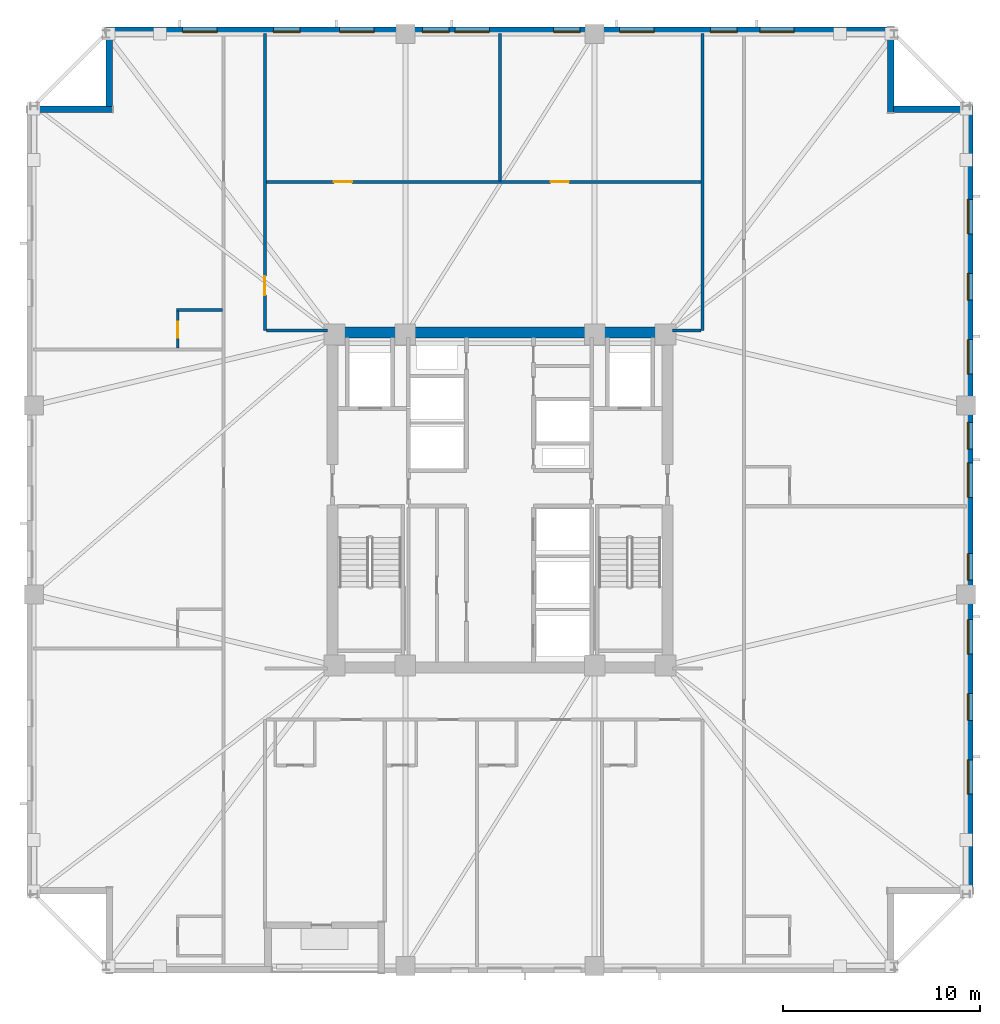
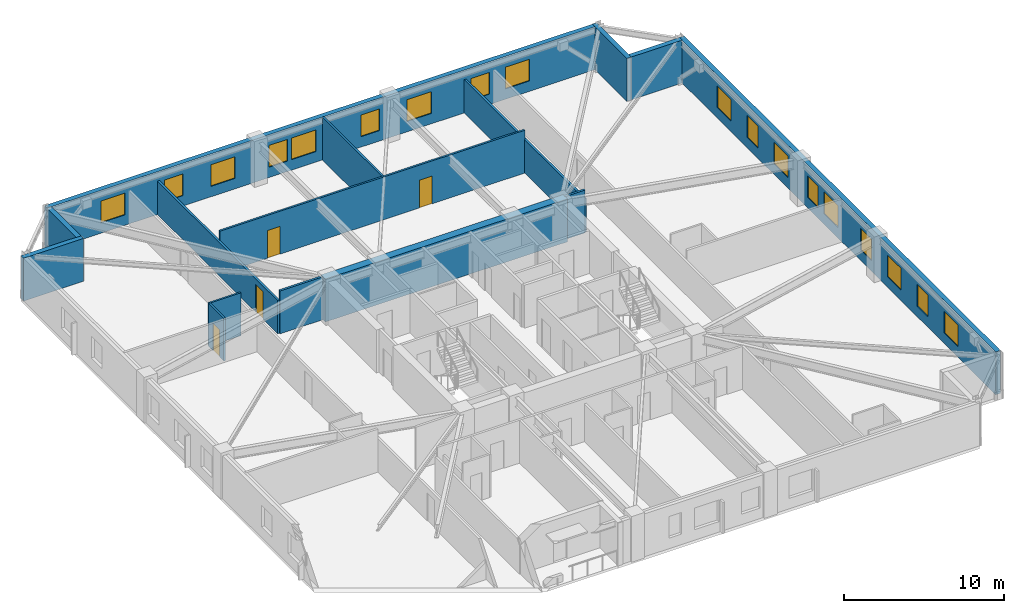
# One storey, part 5 of 10: 18 windows, 15 walls, 4 doors, 22 openings.
"""IFC4 building model written with IfcOpenShell, lengths in metres."""

from ifc_helpers import new_model, si_unit, direction, frame, frame_2d, origin, place, context, subcontext, project, spatial, rectangle, extrude, material, layer, layer_set, type_object, element, fill, save


model = new_model("IFC4")

# Units and contexts
model_context = context("Model", 3, precision=1e-05, world=origin(), true_north=direction((0.0, 1.0)))
body_context = subcontext(model_context, "Body", "Model", "MODEL_VIEW")
ifc_project = project(units=[si_unit("LENGTHUNIT", "METRE"), si_unit("AREAUNIT", "SQUARE_METRE"), si_unit("VOLUMEUNIT", "CUBIC_METRE"), si_unit("PLANEANGLEUNIT", "RADIAN"), si_unit("MASSUNIT", "GRAM", prefix="KILO")], contexts=[model_context])

# Site, building, storey
site_placement = place(None, origin())
site = spatial("IfcSite", under=ifc_project, at=site_placement, CompositionType="ELEMENT")
building_placement = place(site_placement, origin())
building = spatial("IfcBuilding", under=site, at=building_placement, Name="Cairnveth Concourse Tower", CompositionType="ELEMENT")
storey_placement = place(building_placement, frame((0.0, 0.0, 144.5)))
storey = spatial("IfcBuildingStorey", under=building, at=storey_placement, Name="L39", CompositionType="ELEMENT", Elevation=144.5)

# Wall, opening, door
ifc_material_1 = material(Name="Gypsum Plasterboard Partition", Category="gypsum")
ifc_layer_1 = layer(ifc_material_1, 0.159912109375)
ifc_layer_set_1 = layer_set([ifc_layer_1], Name="Gypsum Plasterboard Partition")
wall_type_1 = type_object("IfcWallType", Name="ACOUSTIC PARTY WALL 180", PredefinedType="PARTITIONING", material=ifc_layer_set_1)
wall_1_placement = place(storey_placement, frame((40.074951171875, 47.60009765625, 0.0), z_axis=(0.0, 0.0, 1.0), x_axis=(0.0, 1.0, 0.0)))
wall_1 = element("IfcWall", 1, at=wall_1_placement, inside=storey, type_object=wall_type_1, Name="Interior Wall IW-L39-039", PredefinedType="PARTITIONING", context=body_context, shape_type="SweptSolid", body=[
    extrude(rectangle(XDim=15.074951171875, YDim=0.159912109375, at=frame_2d((7.53759765625, 0.0))), origin(), (0.0, 0.0, 1.0), 2.554931640625),
])
opening_1_placement = place(wall_1_placement, frame((1.800048828125, 0.0, 0.0)))
opening_1 = element("IfcOpeningElement", 2, at=opening_1_placement, cuts=wall_1, Name="Opening ID11", PredefinedType="OPENING", context=body_context, shape_type="SweptSolid", body=[
    extrude(rectangle(XDim=0.9599609375, YDim=2.1201171875, at=frame_2d((0.47998046875, 1.06005859375))), frame((0.0, 0.08984375, 0.0), z_axis=(0.0, -1.0, 0.0), x_axis=(1.0, 0.0, 0.0)), (0.0, 0.0, 1.0), 0.179931640625),
])
ifc_material_2 = material(Name="Solid Core Hardwood Timber Leaf", Category="wood")
door_type_1 = type_object("IfcDoorType", Name="INTERIOR SINGLE DOOR 960X2150", OperationType="NOTDEFINED", PredefinedType="DOOR", material=ifc_material_2)
door_1_placement = place(opening_1_placement, origin())
door_1 = element("IfcDoor", 3, at=door_1_placement, inside=storey, type_object=door_type_1, Name="Interior Door DR-L39-016", OperationType="SINGLE_SWING_RIGHT", OverallHeight=2.1201171875, OverallWidth=0.9599609375, PredefinedType="DOOR", context=body_context, shape_type="SweptSolid", body=[
    extrude(rectangle(XDim=0.9599609375, YDim=2.1201171875, at=frame_2d((0.47998046875, 1.06005859375))), frame((0.0, 0.02490234375, 0.0), z_axis=(0.0, -1.0, 0.0), x_axis=(1.0, 0.0, 0.0)), (0.0, 0.0, 1.0), 0.050048828125),
])
fill(opening_1, door_1)

# Walls
wall_2_placement = place(storey_placement, frame((40.139892578125, 47.60009765625, 0.0), z_axis=(0.0, 0.0, 1.0), x_axis=(1.0, 0.0, 0.0)))
element("IfcWall", 4, at=wall_2_placement, inside=storey, type_object=wall_type_1, Name="Interior Wall IW-L39-041", PredefinedType="PARTITIONING", context=body_context, shape_type="SweptSolid", body=[
    extrude(rectangle(XDim=3.09521484375, YDim=0.159912109375, at=frame_2d((1.547607421875, 0.0))), origin(), (0.0, 0.0, 1.0), 3.280029296875),
])
wall_3_placement = place(storey_placement, frame((62.27490234375, 47.60009765625, 0.0), z_axis=(0.0, 0.0, 1.0), x_axis=(0.0, 1.0, 0.0)))
element("IfcWall", 5, at=wall_3_placement, inside=storey, type_object=wall_type_1, Name="Interior Wall IW-L39-044", PredefinedType="PARTITIONING", context=body_context, shape_type="SweptSolid", body=[
    extrude(rectangle(XDim=15.074951171875, YDim=0.159912109375, at=frame_2d((7.53759765625, 0.0))), origin(), (0.0, 0.0, 1.0), 2.554931640625),
])
wall_4_placement = place(storey_placement, frame((60.764892578125, 47.60009765625, 0.0), z_axis=(0.0, 0.0, 1.0), x_axis=(1.0, 0.0, 0.0)))
element("IfcWall", 6, at=wall_4_placement, inside=storey, type_object=wall_type_1, Name="Interior Wall IW-L39-046", PredefinedType="PARTITIONING", context=body_context, shape_type="SweptSolid", body=[
    extrude(rectangle(XDim=1.445068359375, YDim=0.159912109375, at=frame_2d((0.72265625, 0.0))), origin(), (0.0, 0.0, 1.0), 3.280029296875),
])
ifc_material_3 = material(Name="Concrete N80 (80 MPa)", Category="concrete")
ifc_layer_2 = layer(ifc_material_3, 0.550048828125)
ifc_layer_set_2 = layer_set([ifc_layer_2], Name="Concrete N80 (80 MPa)")
wall_type_2 = type_object("IfcWallType", Name="CORE SHEAR WALL 550", PredefinedType="SHEAR", material=ifc_layer_set_2)
wall_5_placement = place(storey_placement, frame((43.22509765625, 47.5, 0.0), z_axis=(0.0, 0.0, 1.0), x_axis=(1.0, 0.0, 0.0)))
element("IfcWall", 7, at=wall_5_placement, inside=storey, type_object=wall_type_2, Name="Core North Shear Wall L39", PredefinedType="SHEAR", context=body_context, shape_type="SweptSolid", body=[
    extrude(rectangle(XDim=17.5498046875, YDim=0.550048828125, at=frame_2d((8.77490234375, 0.0))), origin(), (0.0, 0.0, 1.0), 3.280029296875),
])

# Wall, openings, doors
ifc_layer_3 = layer(ifc_material_1, 0.139892578125)
ifc_layer_set_3 = layer_set([ifc_layer_3], Name="Gypsum Plasterboard Partition")
wall_type_3 = type_object("IfcWallType", Name="GYPSUM STUD PARTITION 140", PredefinedType="PARTITIONING", material=ifc_layer_set_3)
wall_6_placement = place(storey_placement, frame((40.139892578125, 55.139892578125, 0.0), z_axis=(0.0, 0.0, 1.0), x_axis=(1.0, 0.0, 0.0)))
wall_6 = element("IfcWall", 8, at=wall_6_placement, inside=storey, type_object=wall_type_3, Name="Interior Wall IW-L39-048", PredefinedType="PARTITIONING", context=body_context, shape_type="SweptSolid", body=[
    extrude(rectangle(XDim=22.070068359375, YDim=0.139892578125, at=frame_2d((11.03515625, 0.0))), origin(), (0.0, 0.0, 1.0), 3.280029296875),
])
opening_2_placement = place(wall_6_placement, frame((3.43505859375, 0.0, 0.0)))
opening_2 = element("IfcOpeningElement", 9, at=opening_2_placement, cuts=wall_6, Name="Opening ID15", PredefinedType="OPENING", context=body_context, shape_type="SweptSolid", body=[
    extrude(rectangle(XDim=0.919921875, YDim=2.1201171875, at=frame_2d((0.4599609375, 1.06005859375))), frame((0.0, 0.079833984375, 0.0), z_axis=(0.0, -1.0, 0.0), x_axis=(1.0, 0.0, 0.0)), (0.0, 0.0, 1.0), 0.159912109375),
])
opening_3_placement = place(wall_6_placement, frame((14.43505859375, 0.0, 0.0)))
opening_3 = element("IfcOpeningElement", 10, at=opening_3_placement, cuts=wall_6, Name="Opening ID15", PredefinedType="OPENING", context=body_context, shape_type="SweptSolid", body=[
    extrude(rectangle(XDim=0.919921875, YDim=2.1201171875, at=frame_2d((0.4599609375, 1.06005859375))), frame((0.0, 0.079833984375, 0.0), z_axis=(0.0, -1.0, 0.0), x_axis=(1.0, 0.0, 0.0)), (0.0, 0.0, 1.0), 0.159912109375),
])
door_type_2 = type_object("IfcDoorType", Name="INTERIOR SINGLE DOOR 920X2100", OperationType="NOTDEFINED", PredefinedType="DOOR", material=ifc_material_2)
door_2_placement = place(opening_2_placement, origin())
door_2 = element("IfcDoor", 11, at=door_2_placement, inside=storey, type_object=door_type_2, Name="Interior Door DR-L39-017", OperationType="SINGLE_SWING_LEFT", OverallHeight=2.1201171875, OverallWidth=0.919921875, PredefinedType="DOOR", context=body_context, shape_type="SweptSolid", body=[
    extrude(rectangle(XDim=0.919921875, YDim=2.1201171875, at=frame_2d((0.4599609375, 1.06005859375))), frame((0.0, 0.02490234375, 0.0), z_axis=(0.0, -1.0, 0.0), x_axis=(1.0, 0.0, 0.0)), (0.0, 0.0, 1.0), 0.050048828125),
])
fill(opening_2, door_2)
door_3_placement = place(opening_3_placement, origin())
door_3 = element("IfcDoor", 12, at=door_3_placement, inside=storey, type_object=door_type_2, Name="Interior Door DR-L39-018", OperationType="SINGLE_SWING_RIGHT", OverallHeight=2.1201171875, OverallWidth=0.919921875, PredefinedType="DOOR", context=body_context, shape_type="SweptSolid", body=[
    extrude(rectangle(XDim=0.919921875, YDim=2.1201171875, at=frame_2d((0.4599609375, 1.06005859375))), frame((0.0, 0.02490234375, 0.0), z_axis=(0.0, -1.0, 0.0), x_axis=(1.0, 0.0, 0.0)), (0.0, 0.0, 1.0), 0.050048828125),
])
fill(opening_3, door_3)

# Walls
wall_7_placement = place(storey_placement, frame((52.0, 55.195068359375, 0.0), z_axis=(0.0, 0.0, 1.0), x_axis=(0.0, 1.0, 0.0)))
element("IfcWall", 13, at=wall_7_placement, inside=storey, type_object=wall_type_3, Name="Interior Wall IW-L39-049", PredefinedType="PARTITIONING", context=body_context, shape_type="SweptSolid", body=[
    extrude(rectangle(XDim=7.47998046875, YDim=0.139892578125, at=frame_2d((3.739990234375, 0.0))), origin(), (0.0, 0.0, 1.0), 3.280029296875),
])
ifc_layer_4 = layer(ifc_material_1, 0.1298828125)
ifc_layer_set_4 = layer_set([ifc_layer_4], Name="Gypsum Plasterboard Partition")
wall_type_4 = type_object("IfcWallType", Name="WET AREA PARTITION 140", PredefinedType="PLUMBINGWALL", material=ifc_layer_set_4)
wall_8_placement = place(storey_placement, frame((35.594970703125, 48.640625, 0.0), z_axis=(0.0, 0.0, 1.0), x_axis=(1.0, 0.0, 0.0)))
element("IfcWall", 14, at=wall_8_placement, inside=storey, type_object=wall_type_4, Name="Interior Wall IW-L39-069", PredefinedType="PLUMBINGWALL", context=body_context, shape_type="SweptSolid", body=[
    extrude(rectangle(XDim=2.31494140625, YDim=0.1298828125, at=frame_2d((1.157470703125, 0.0))), origin(), (0.0, 0.0, 1.0), 3.280029296875),
])

# Wall, opening, door
wall_9_placement = place(storey_placement, frame((35.64501953125, 46.70556640625, 0.0), z_axis=(0.0, 0.0, 1.0), x_axis=(0.0, 1.0, 0.0)))
wall_9 = element("IfcWall", 15, at=wall_9_placement, inside=storey, type_object=wall_type_4, Name="Interior Wall IW-L39-070", PredefinedType="PLUMBINGWALL", context=body_context, shape_type="SweptSolid", body=[
    extrude(rectangle(XDim=1.885009765625, YDim=0.1298828125, at=frame_2d((0.9423828125, 0.0))), origin(), (0.0, 0.0, 1.0), 3.280029296875),
])
opening_4_placement = place(wall_9_placement, frame((0.52490234375, 0.0, 0.0)))
opening_4 = element("IfcOpeningElement", 16, at=opening_4_placement, cuts=wall_9, Name="Opening ID22", PredefinedType="OPENING", context=body_context, shape_type="SweptSolid", body=[
    extrude(rectangle(XDim=0.820068359375, YDim=2.10009765625, at=frame_2d((0.41015625, 1.050048828125))), frame((0.0, 0.074951171875, 0.0), z_axis=(0.0, -1.0, 0.0), x_axis=(1.0, 0.0, 0.0)), (0.0, 0.0, 1.0), 0.14990234375),
])
door_type_3 = type_object("IfcDoorType", Name="INTERIOR WC DOOR 820X2100", OperationType="NOTDEFINED", PredefinedType="DOOR", material=ifc_material_2)
door_4_placement = place(opening_4_placement, origin())
door_4 = element("IfcDoor", 17, at=door_4_placement, inside=storey, type_object=door_type_3, Name="En-Suite Door L39-W3", OperationType="SINGLE_SWING_LEFT", OverallHeight=2.10009765625, OverallWidth=0.820068359375, PredefinedType="DOOR", context=body_context, shape_type="SweptSolid", body=[
    extrude(rectangle(XDim=0.820068359375, YDim=2.10009765625, at=frame_2d((0.41015625, 1.050048828125))), frame((0.0, 0.02490234375, 0.0), z_axis=(0.0, -1.0, 0.0), x_axis=(1.0, 0.0, 0.0)), (0.0, 0.0, 1.0), 0.050048828125),
])
fill(opening_4, door_4)

# Walls
ifc_material_4 = material(Name="Hawthorn Red-Ochre Fired Clay Brick Masonry", Category="masonry")
ifc_layer_5 = layer(ifc_material_4, 0.340087890625)
ifc_layer_set_5 = layer_set([ifc_layer_5], Name="Hawthorn Red-Ochre Fired Clay Brick Masonry")
wall_type_5 = type_object("IfcWallType", Name="ZONE 2 BRICK PIER SPANDREL WALL 340", PredefinedType="SOLIDWALL", material=ifc_layer_set_5)
wall_10_placement = place(storey_placement, frame((28.0, 58.830078125, 0.0), z_axis=(0.0, 0.0, 1.0), x_axis=(1.0, 0.0, 0.0)))
element("IfcWall", 18, at=wall_10_placement, inside=storey, type_object=wall_type_5, Name="Exterior Wall EW-L39-S04", PredefinedType="SOLIDWALL", context=body_context, shape_type="SweptSolid", body=[
    extrude(rectangle(XDim=4.340087890625, YDim=0.340087890625, at=frame_2d((2.169921875, 0.0))), origin(), (0.0, 0.0, 1.0), 3.280029296875),
])
wall_11_placement = place(storey_placement, frame((32.169921875, 58.97802734375, 0.0), z_axis=(0.0, 0.0, 1.0), x_axis=(0.0, 1.0, 0.0)))
element("IfcWall", 19, at=wall_11_placement, inside=storey, type_object=wall_type_5, Name="Exterior Wall EW-L39-S05", PredefinedType="SOLIDWALL", context=body_context, shape_type="SweptSolid", body=[
    extrude(rectangle(XDim=3.703857421875, YDim=0.340087890625, at=frame_2d((1.85205078125, 0.0))), origin(), (0.0, 0.0, 1.0), 3.280029296875),
])

# Wall, openings, windows
wall_12_placement = place(storey_placement, frame((32.0, 62.830078125, 0.0), z_axis=(0.0, 0.0, 1.0), x_axis=(1.0, 0.0, 0.0)))
wall_12 = element("IfcWall", 20, at=wall_12_placement, inside=storey, type_object=wall_type_5, Name="Exterior Wall EW-L39-S06", PredefinedType="SOLIDWALL", context=body_context, shape_type="SweptSolid", body=[
    extrude(rectangle(XDim=39.681884765625, YDim=0.340087890625, at=frame_2d((19.8408203125, 0.0))), origin(), (0.0, 0.0, 1.0), 3.280029296875),
])
opening_5_placement = place(wall_12_placement, frame((3.90185546875, 0.0, 0.800048828125)))
opening_5 = element("IfcOpeningElement", 21, at=opening_5_placement, cuts=wall_12, Name="Opening W06", PredefinedType="OPENING", context=body_context, shape_type="SweptSolid", body=[
    extrude(rectangle(XDim=1.75, YDim=1.659912109375, at=frame_2d((0.875, 0.830078125))), frame((0.0, 0.179931640625, 0.0), z_axis=(0.0, -1.0, 0.0), x_axis=(1.0, 0.0, 0.0)), (0.0, 0.0, 1.0), 0.360107421875),
])
opening_6_placement = place(wall_12_placement, frame((8.50537109375, 0.0, 0.800048828125)))
opening_6 = element("IfcOpeningElement", 22, at=opening_6_placement, cuts=wall_12, Name="Opening W02", PredefinedType="OPENING", context=body_context, shape_type="SweptSolid", body=[
    extrude(rectangle(XDim=1.35009765625, YDim=1.659912109375, at=frame_2d((0.675048828125, 0.830078125))), frame((0.0, 0.179931640625, 0.0), z_axis=(0.0, -1.0, 0.0), x_axis=(1.0, 0.0, 0.0)), (0.0, 0.0, 1.0), 0.360107421875),
])
opening_7_placement = place(wall_12_placement, frame((11.85888671875, 0.0, 0.800048828125)))
opening_7 = element("IfcOpeningElement", 23, at=opening_7_placement, cuts=wall_12, Name="Opening W06", PredefinedType="OPENING", context=body_context, shape_type="SweptSolid", body=[
    extrude(rectangle(XDim=1.75, YDim=1.659912109375, at=frame_2d((0.875, 0.830078125))), frame((0.0, 0.179931640625, 0.0), z_axis=(0.0, -1.0, 0.0), x_axis=(1.0, 0.0, 0.0)), (0.0, 0.0, 1.0), 0.360107421875),
])
opening_8_placement = place(wall_12_placement, frame((16.0625, 0.0, 0.800048828125)))
opening_8 = element("IfcOpeningElement", 24, at=opening_8_placement, cuts=wall_12, Name="Opening W02", PredefinedType="OPENING", context=body_context, shape_type="SweptSolid", body=[
    extrude(rectangle(XDim=1.35009765625, YDim=1.659912109375, at=frame_2d((0.675048828125, 0.830078125))), frame((0.0, 0.179931640625, 0.0), z_axis=(0.0, -1.0, 0.0), x_axis=(1.0, 0.0, 0.0)), (0.0, 0.0, 1.0), 0.360107421875),
])
opening_9_placement = place(wall_12_placement, frame((17.716064453125, 0.0, 0.800048828125)))
opening_9 = element("IfcOpeningElement", 25, at=opening_9_placement, cuts=wall_12, Name="Opening W06", PredefinedType="OPENING", context=body_context, shape_type="SweptSolid", body=[
    extrude(rectangle(XDim=1.75, YDim=1.659912109375, at=frame_2d((0.875, 0.830078125))), frame((0.0, 0.179931640625, 0.0), z_axis=(0.0, -1.0, 0.0), x_axis=(1.0, 0.0, 0.0)), (0.0, 0.0, 1.0), 0.360107421875),
])
opening_10_placement = place(wall_12_placement, frame((22.719482421875, 0.0, 0.800048828125)))
opening_10 = element("IfcOpeningElement", 26, at=opening_10_placement, cuts=wall_12, Name="Opening W02", PredefinedType="OPENING", context=body_context, shape_type="SweptSolid", body=[
    extrude(rectangle(XDim=1.35009765625, YDim=1.659912109375, at=frame_2d((0.675048828125, 0.830078125))), frame((0.0, 0.179931640625, 0.0), z_axis=(0.0, -1.0, 0.0), x_axis=(1.0, 0.0, 0.0)), (0.0, 0.0, 1.0), 0.360107421875),
])
opening_11_placement = place(wall_12_placement, frame((26.072998046875, 0.0, 0.800048828125)))
opening_11 = element("IfcOpeningElement", 27, at=opening_11_placement, cuts=wall_12, Name="Opening W06", PredefinedType="OPENING", context=body_context, shape_type="SweptSolid", body=[
    extrude(rectangle(XDim=1.75, YDim=1.659912109375, at=frame_2d((0.875, 0.830078125))), frame((0.0, 0.179931640625, 0.0), z_axis=(0.0, -1.0, 0.0), x_axis=(1.0, 0.0, 0.0)), (0.0, 0.0, 1.0), 0.360107421875),
])
opening_12_placement = place(wall_12_placement, frame((30.6767578125, 0.0, 0.800048828125)))
opening_12 = element("IfcOpeningElement", 28, at=opening_12_placement, cuts=wall_12, Name="Opening W02", PredefinedType="OPENING", context=body_context, shape_type="SweptSolid", body=[
    extrude(rectangle(XDim=1.35009765625, YDim=1.659912109375, at=frame_2d((0.675048828125, 0.830078125))), frame((0.0, 0.179931640625, 0.0), z_axis=(0.0, -1.0, 0.0), x_axis=(1.0, 0.0, 0.0)), (0.0, 0.0, 1.0), 0.360107421875),
])
opening_13_placement = place(wall_12_placement, frame((33.18017578125, 0.0, 0.800048828125)))
opening_13 = element("IfcOpeningElement", 29, at=opening_13_placement, cuts=wall_12, Name="Opening W06", PredefinedType="OPENING", context=body_context, shape_type="SweptSolid", body=[
    extrude(rectangle(XDim=1.75, YDim=1.659912109375, at=frame_2d((0.875, 0.830078125))), frame((0.0, 0.179931640625, 0.0), z_axis=(0.0, -1.0, 0.0), x_axis=(1.0, 0.0, 0.0)), (0.0, 0.0, 1.0), 0.360107421875),
])
ifc_material_5 = material(Name="Double Glazed Low-E Clear Glass", Category="glass")
window_type_1 = type_object("IfcWindowType", Name="DEEP-SET GOTHIC LANCET WINDOW 1350X1800", PartitioningType="DOUBLE_PANEL_VERTICAL", PredefinedType="WINDOW", material=ifc_material_5)
window_1_placement = place(opening_6_placement, origin())
window_1 = element("IfcWindow", 30, at=window_1_placement, inside=storey, type_object=window_type_1, Name="Gothic Lancet Window L39-6-2", OverallHeight=1.659912109375, OverallWidth=1.35009765625, PartitioningType="SINGLE_PANEL", PredefinedType="WINDOW", context=body_context, shape_type="SweptSolid", body=[
    extrude(rectangle(XDim=1.35009765625, YDim=1.659912109375, at=frame_2d((0.675048828125, 0.830078125))), frame((0.0, -0.050048828125, 0.0), z_axis=(0.0, -1.0, 0.0), x_axis=(1.0, 0.0, 0.0)), (0.0, 0.0, 1.0), 0.06005859375),
])
fill(opening_6, window_1)
window_2_placement = place(opening_8_placement, origin())
window_2 = element("IfcWindow", 31, at=window_2_placement, inside=storey, type_object=window_type_1, Name="Gothic Lancet Window L39-6-4", OverallHeight=1.659912109375, OverallWidth=1.35009765625, PartitioningType="SINGLE_PANEL", PredefinedType="WINDOW", context=body_context, shape_type="SweptSolid", body=[
    extrude(rectangle(XDim=1.35009765625, YDim=1.659912109375, at=frame_2d((0.675048828125, 0.830078125))), frame((0.0, -0.050048828125, 0.0), z_axis=(0.0, -1.0, 0.0), x_axis=(1.0, 0.0, 0.0)), (0.0, 0.0, 1.0), 0.06005859375),
])
fill(opening_8, window_2)
window_3_placement = place(opening_10_placement, origin())
window_3 = element("IfcWindow", 32, at=window_3_placement, inside=storey, type_object=window_type_1, Name="Gothic Lancet Window L39-6-6", OverallHeight=1.659912109375, OverallWidth=1.35009765625, PartitioningType="SINGLE_PANEL", PredefinedType="WINDOW", context=body_context, shape_type="SweptSolid", body=[
    extrude(rectangle(XDim=1.35009765625, YDim=1.659912109375, at=frame_2d((0.675048828125, 0.830078125))), frame((0.0, -0.050048828125, 0.0), z_axis=(0.0, -1.0, 0.0), x_axis=(1.0, 0.0, 0.0)), (0.0, 0.0, 1.0), 0.06005859375),
])
fill(opening_10, window_3)
window_4_placement = place(opening_12_placement, origin())
window_4 = element("IfcWindow", 33, at=window_4_placement, inside=storey, type_object=window_type_1, Name="Gothic Lancet Window L39-6-8", OverallHeight=1.659912109375, OverallWidth=1.35009765625, PartitioningType="SINGLE_PANEL", PredefinedType="WINDOW", context=body_context, shape_type="SweptSolid", body=[
    extrude(rectangle(XDim=1.35009765625, YDim=1.659912109375, at=frame_2d((0.675048828125, 0.830078125))), frame((0.0, -0.050048828125, 0.0), z_axis=(0.0, -1.0, 0.0), x_axis=(1.0, 0.0, 0.0)), (0.0, 0.0, 1.0), 0.06005859375),
])
fill(opening_12, window_4)
window_type_2 = type_object("IfcWindowType", Name="DEEP-SET HOTEL SUITE WINDOW 1750X1800", PartitioningType="DOUBLE_PANEL_VERTICAL", PredefinedType="WINDOW", material=ifc_material_5)
window_5_placement = place(opening_5_placement, origin())
window_5 = element("IfcWindow", 34, at=window_5_placement, inside=storey, type_object=window_type_2, Name="Gothic Lancet Window L39-6-1", OverallHeight=1.659912109375, OverallWidth=1.75, PartitioningType="SINGLE_PANEL", PredefinedType="WINDOW", context=body_context, shape_type="SweptSolid", body=[
    extrude(rectangle(XDim=1.75, YDim=1.659912109375, at=frame_2d((0.875, 0.830078125))), frame((0.0, -0.050048828125, 0.0), z_axis=(0.0, -1.0, 0.0), x_axis=(1.0, 0.0, 0.0)), (0.0, 0.0, 1.0), 0.06005859375),
])
fill(opening_5, window_5)
window_6_placement = place(opening_7_placement, origin())
window_6 = element("IfcWindow", 35, at=window_6_placement, inside=storey, type_object=window_type_2, Name="Gothic Lancet Window L39-6-3", OverallHeight=1.659912109375, OverallWidth=1.75, PartitioningType="SINGLE_PANEL", PredefinedType="WINDOW", context=body_context, shape_type="SweptSolid", body=[
    extrude(rectangle(XDim=1.75, YDim=1.659912109375, at=frame_2d((0.875, 0.830078125))), frame((0.0, -0.050048828125, 0.0), z_axis=(0.0, -1.0, 0.0), x_axis=(1.0, 0.0, 0.0)), (0.0, 0.0, 1.0), 0.06005859375),
])
fill(opening_7, window_6)
window_7_placement = place(opening_9_placement, origin())
window_7 = element("IfcWindow", 36, at=window_7_placement, inside=storey, type_object=window_type_2, Name="Gothic Lancet Window L39-6-5", OverallHeight=1.659912109375, OverallWidth=1.75, PartitioningType="SINGLE_PANEL", PredefinedType="WINDOW", context=body_context, shape_type="SweptSolid", body=[
    extrude(rectangle(XDim=1.75, YDim=1.659912109375, at=frame_2d((0.875, 0.830078125))), frame((0.0, -0.050048828125, 0.0), z_axis=(0.0, -1.0, 0.0), x_axis=(1.0, 0.0, 0.0)), (0.0, 0.0, 1.0), 0.06005859375),
])
fill(opening_9, window_7)
window_8_placement = place(opening_11_placement, origin())
window_8 = element("IfcWindow", 37, at=window_8_placement, inside=storey, type_object=window_type_2, Name="Gothic Lancet Window L39-6-7", OverallHeight=1.659912109375, OverallWidth=1.75, PartitioningType="SINGLE_PANEL", PredefinedType="WINDOW", context=body_context, shape_type="SweptSolid", body=[
    extrude(rectangle(XDim=1.75, YDim=1.659912109375, at=frame_2d((0.875, 0.830078125))), frame((0.0, -0.050048828125, 0.0), z_axis=(0.0, -1.0, 0.0), x_axis=(1.0, 0.0, 0.0)), (0.0, 0.0, 1.0), 0.06005859375),
])
fill(opening_11, window_8)
window_9_placement = place(opening_13_placement, origin())
window_9 = element("IfcWindow", 38, at=window_9_placement, inside=storey, type_object=window_type_2, Name="Gothic Lancet Window L39-6-9", OverallHeight=1.659912109375, OverallWidth=1.75, PartitioningType="SINGLE_PANEL", PredefinedType="WINDOW", context=body_context, shape_type="SweptSolid", body=[
    extrude(rectangle(XDim=1.75, YDim=1.659912109375, at=frame_2d((0.875, 0.830078125))), frame((0.0, -0.050048828125, 0.0), z_axis=(0.0, -1.0, 0.0), x_axis=(1.0, 0.0, 0.0)), (0.0, 0.0, 1.0), 0.06005859375),
])
fill(opening_13, window_9)

# Walls
wall_13_placement = place(storey_placement, frame((71.830078125, 63.0, 0.0), z_axis=(0.0, 0.0, 1.0), x_axis=(0.0, -1.0, 0.0)))
element("IfcWall", 39, at=wall_13_placement, inside=storey, type_object=wall_type_5, Name="Exterior Wall EW-L39-S07", PredefinedType="SOLIDWALL", context=body_context, shape_type="SweptSolid", body=[
    extrude(rectangle(XDim=4.340087890625, YDim=0.340087890625, at=frame_2d((2.169921875, 0.0))), origin(), (0.0, 0.0, 1.0), 3.280029296875),
])
wall_14_placement = place(storey_placement, frame((71.97802734375, 58.830078125, 0.0), z_axis=(0.0, 0.0, 1.0), x_axis=(1.0, 0.0, 0.0)))
element("IfcWall", 40, at=wall_14_placement, inside=storey, type_object=wall_type_5, Name="Exterior Wall EW-L39-S08", PredefinedType="SOLIDWALL", context=body_context, shape_type="SweptSolid", body=[
    extrude(rectangle(XDim=3.703857421875, YDim=0.340087890625, at=frame_2d((1.85205078125, 0.0))), origin(), (0.0, 0.0, 1.0), 3.280029296875),
])

# Wall, openings, windows
wall_15_placement = place(storey_placement, frame((75.830078125, 59.0, 0.0), z_axis=(0.0, 0.0, 1.0), x_axis=(0.0, -1.0, 0.0)))
wall_15 = element("IfcWall", 41, at=wall_15_placement, inside=storey, type_object=wall_type_5, Name="Exterior Wall EW-L39-S09", PredefinedType="SOLIDWALL", context=body_context, shape_type="SweptSolid", body=[
    extrude(rectangle(XDim=39.681884765625, YDim=0.340087890625, at=frame_2d((19.8408203125, 0.0))), origin(), (0.0, 0.0, 1.0), 3.280029296875),
])
opening_14_placement = place(wall_15_placement, frame((4.751708984375, 0.0, 0.800048828125)))
opening_14 = element("IfcOpeningElement", 42, at=opening_14_placement, cuts=wall_15, Name="Opening W06", PredefinedType="OPENING", context=body_context, shape_type="SweptSolid", body=[
    extrude(rectangle(XDim=1.75, YDim=1.659912109375, at=frame_2d((0.875, 0.830078125))), frame((0.0, 0.179931640625, 0.0), z_axis=(0.0, -1.0, 0.0), x_axis=(1.0, 0.0, 0.0)), (0.0, 0.0, 1.0), 0.360107421875),
])
opening_15_placement = place(wall_15_placement, frame((8.50537109375, 0.0, 0.800048828125)))
opening_15 = element("IfcOpeningElement", 43, at=opening_15_placement, cuts=wall_15, Name="Opening W02", PredefinedType="OPENING", context=body_context, shape_type="SweptSolid", body=[
    extrude(rectangle(XDim=1.35009765625, YDim=1.659912109375, at=frame_2d((0.675048828125, 0.830078125))), frame((0.0, 0.179931640625, 0.0), z_axis=(0.0, -1.0, 0.0), x_axis=(1.0, 0.0, 0.0)), (0.0, 0.0, 1.0), 0.360107421875),
])
opening_16_placement = place(wall_15_placement, frame((11.85888671875, 0.0, 0.800048828125)))
opening_16 = element("IfcOpeningElement", 44, at=opening_16_placement, cuts=wall_15, Name="Opening W06", PredefinedType="OPENING", context=body_context, shape_type="SweptSolid", body=[
    extrude(rectangle(XDim=1.75, YDim=1.659912109375, at=frame_2d((0.875, 0.830078125))), frame((0.0, 0.179931640625, 0.0), z_axis=(0.0, -1.0, 0.0), x_axis=(1.0, 0.0, 0.0)), (0.0, 0.0, 1.0), 0.360107421875),
])
opening_17_placement = place(wall_15_placement, frame((16.0625, 0.0, 0.800048828125)))
opening_17 = element("IfcOpeningElement", 45, at=opening_17_placement, cuts=wall_15, Name="Opening W02", PredefinedType="OPENING", context=body_context, shape_type="SweptSolid", body=[
    extrude(rectangle(XDim=1.35009765625, YDim=1.659912109375, at=frame_2d((0.675048828125, 0.830078125))), frame((0.0, 0.179931640625, 0.0), z_axis=(0.0, -1.0, 0.0), x_axis=(1.0, 0.0, 0.0)), (0.0, 0.0, 1.0), 0.360107421875),
])
opening_18_placement = place(wall_15_placement, frame((18.115966796875, 0.0, 0.800048828125)))
opening_18 = element("IfcOpeningElement", 46, at=opening_18_placement, cuts=wall_15, Name="Opening W06", PredefinedType="OPENING", context=body_context, shape_type="SweptSolid", body=[
    extrude(rectangle(XDim=1.75, YDim=1.659912109375, at=frame_2d((0.875, 0.830078125))), frame((0.0, 0.179931640625, 0.0), z_axis=(0.0, -1.0, 0.0), x_axis=(1.0, 0.0, 0.0)), (0.0, 0.0, 1.0), 0.360107421875),
])
opening_19_placement = place(wall_15_placement, frame((22.719482421875, 0.0, 0.800048828125)))
opening_19 = element("IfcOpeningElement", 47, at=opening_19_placement, cuts=wall_15, Name="Opening W02", PredefinedType="OPENING", context=body_context, shape_type="SweptSolid", body=[
    extrude(rectangle(XDim=1.35009765625, YDim=1.659912109375, at=frame_2d((0.675048828125, 0.830078125))), frame((0.0, 0.179931640625, 0.0), z_axis=(0.0, -1.0, 0.0), x_axis=(1.0, 0.0, 0.0)), (0.0, 0.0, 1.0), 0.360107421875),
])
opening_20_placement = place(wall_15_placement, frame((26.072998046875, 0.0, 0.800048828125)))
opening_20 = element("IfcOpeningElement", 48, at=opening_20_placement, cuts=wall_15, Name="Opening W06", PredefinedType="OPENING", context=body_context, shape_type="SweptSolid", body=[
    extrude(rectangle(XDim=1.75, YDim=1.659912109375, at=frame_2d((0.875, 0.830078125))), frame((0.0, 0.179931640625, 0.0), z_axis=(0.0, -1.0, 0.0), x_axis=(1.0, 0.0, 0.0)), (0.0, 0.0, 1.0), 0.360107421875),
])
opening_21_placement = place(wall_15_placement, frame((29.82666015625, 0.0, 0.800048828125)))
opening_21 = element("IfcOpeningElement", 49, at=opening_21_placement, cuts=wall_15, Name="Opening W02", PredefinedType="OPENING", context=body_context, shape_type="SweptSolid", body=[
    extrude(rectangle(XDim=1.35009765625, YDim=1.659912109375, at=frame_2d((0.675048828125, 0.830078125))), frame((0.0, 0.179931640625, 0.0), z_axis=(0.0, -1.0, 0.0), x_axis=(1.0, 0.0, 0.0)), (0.0, 0.0, 1.0), 0.360107421875),
])
opening_22_placement = place(wall_15_placement, frame((33.18017578125, 0.0, 0.800048828125)))
opening_22 = element("IfcOpeningElement", 50, at=opening_22_placement, cuts=wall_15, Name="Opening W06", PredefinedType="OPENING", context=body_context, shape_type="SweptSolid", body=[
    extrude(rectangle(XDim=1.75, YDim=1.659912109375, at=frame_2d((0.875, 0.830078125))), frame((0.0, 0.179931640625, 0.0), z_axis=(0.0, -1.0, 0.0), x_axis=(1.0, 0.0, 0.0)), (0.0, 0.0, 1.0), 0.360107421875),
])
window_10_placement = place(opening_15_placement, origin())
window_10 = element("IfcWindow", 51, at=window_10_placement, inside=storey, type_object=window_type_1, Name="Gothic Lancet Window L39-9-2", OverallHeight=1.659912109375, OverallWidth=1.35009765625, PartitioningType="SINGLE_PANEL", PredefinedType="WINDOW", context=body_context, shape_type="SweptSolid", body=[
    extrude(rectangle(XDim=1.35009765625, YDim=1.659912109375, at=frame_2d((0.675048828125, 0.830078125))), frame((0.0, -0.050048828125, 0.0), z_axis=(0.0, -1.0, 0.0), x_axis=(1.0, 0.0, 0.0)), (0.0, 0.0, 1.0), 0.06005859375),
])
fill(opening_15, window_10)
window_11_placement = place(opening_17_placement, origin())
window_11 = element("IfcWindow", 52, at=window_11_placement, inside=storey, type_object=window_type_1, Name="Gothic Lancet Window L39-9-4", OverallHeight=1.659912109375, OverallWidth=1.35009765625, PartitioningType="SINGLE_PANEL", PredefinedType="WINDOW", context=body_context, shape_type="SweptSolid", body=[
    extrude(rectangle(XDim=1.35009765625, YDim=1.659912109375, at=frame_2d((0.675048828125, 0.830078125))), frame((0.0, -0.050048828125, 0.0), z_axis=(0.0, -1.0, 0.0), x_axis=(1.0, 0.0, 0.0)), (0.0, 0.0, 1.0), 0.06005859375),
])
fill(opening_17, window_11)
window_12_placement = place(opening_19_placement, origin())
window_12 = element("IfcWindow", 53, at=window_12_placement, inside=storey, type_object=window_type_1, Name="Gothic Lancet Window L39-9-6", OverallHeight=1.659912109375, OverallWidth=1.35009765625, PartitioningType="SINGLE_PANEL", PredefinedType="WINDOW", context=body_context, shape_type="SweptSolid", body=[
    extrude(rectangle(XDim=1.35009765625, YDim=1.659912109375, at=frame_2d((0.675048828125, 0.830078125))), frame((0.0, -0.050048828125, 0.0), z_axis=(0.0, -1.0, 0.0), x_axis=(1.0, 0.0, 0.0)), (0.0, 0.0, 1.0), 0.06005859375),
])
fill(opening_19, window_12)
window_13_placement = place(opening_21_placement, origin())
window_13 = element("IfcWindow", 54, at=window_13_placement, inside=storey, type_object=window_type_1, Name="Gothic Lancet Window L39-9-8", OverallHeight=1.659912109375, OverallWidth=1.35009765625, PartitioningType="SINGLE_PANEL", PredefinedType="WINDOW", context=body_context, shape_type="SweptSolid", body=[
    extrude(rectangle(XDim=1.35009765625, YDim=1.659912109375, at=frame_2d((0.675048828125, 0.830078125))), frame((0.0, -0.050048828125, 0.0), z_axis=(0.0, -1.0, 0.0), x_axis=(1.0, 0.0, 0.0)), (0.0, 0.0, 1.0), 0.06005859375),
])
fill(opening_21, window_13)
window_14_placement = place(opening_14_placement, origin())
window_14 = element("IfcWindow", 55, at=window_14_placement, inside=storey, type_object=window_type_2, Name="Gothic Lancet Window L39-9-1", OverallHeight=1.659912109375, OverallWidth=1.75, PartitioningType="SINGLE_PANEL", PredefinedType="WINDOW", context=body_context, shape_type="SweptSolid", body=[
    extrude(rectangle(XDim=1.75, YDim=1.659912109375, at=frame_2d((0.875, 0.830078125))), frame((0.0, -0.050048828125, 0.0), z_axis=(0.0, -1.0, 0.0), x_axis=(1.0, 0.0, 0.0)), (0.0, 0.0, 1.0), 0.06005859375),
])
fill(opening_14, window_14)
window_15_placement = place(opening_16_placement, origin())
window_15 = element("IfcWindow", 56, at=window_15_placement, inside=storey, type_object=window_type_2, Name="Gothic Lancet Window L39-9-3", OverallHeight=1.659912109375, OverallWidth=1.75, PartitioningType="SINGLE_PANEL", PredefinedType="WINDOW", context=body_context, shape_type="SweptSolid", body=[
    extrude(rectangle(XDim=1.75, YDim=1.659912109375, at=frame_2d((0.875, 0.830078125))), frame((0.0, -0.050048828125, 0.0), z_axis=(0.0, -1.0, 0.0), x_axis=(1.0, 0.0, 0.0)), (0.0, 0.0, 1.0), 0.06005859375),
])
fill(opening_16, window_15)
window_16_placement = place(opening_18_placement, origin())
window_16 = element("IfcWindow", 57, at=window_16_placement, inside=storey, type_object=window_type_2, Name="Gothic Lancet Window L39-9-5", OverallHeight=1.659912109375, OverallWidth=1.75, PartitioningType="SINGLE_PANEL", PredefinedType="WINDOW", context=body_context, shape_type="SweptSolid", body=[
    extrude(rectangle(XDim=1.75, YDim=1.659912109375, at=frame_2d((0.875, 0.830078125))), frame((0.0, -0.050048828125, 0.0), z_axis=(0.0, -1.0, 0.0), x_axis=(1.0, 0.0, 0.0)), (0.0, 0.0, 1.0), 0.06005859375),
])
fill(opening_18, window_16)
window_17_placement = place(opening_20_placement, origin())
window_17 = element("IfcWindow", 58, at=window_17_placement, inside=storey, type_object=window_type_2, Name="Gothic Lancet Window L39-9-7", OverallHeight=1.659912109375, OverallWidth=1.75, PartitioningType="SINGLE_PANEL", PredefinedType="WINDOW", context=body_context, shape_type="SweptSolid", body=[
    extrude(rectangle(XDim=1.75, YDim=1.659912109375, at=frame_2d((0.875, 0.830078125))), frame((0.0, -0.050048828125, 0.0), z_axis=(0.0, -1.0, 0.0), x_axis=(1.0, 0.0, 0.0)), (0.0, 0.0, 1.0), 0.06005859375),
])
fill(opening_20, window_17)
window_18_placement = place(opening_22_placement, origin())
window_18 = element("IfcWindow", 59, at=window_18_placement, inside=storey, type_object=window_type_2, Name="Gothic Lancet Window L39-9-9", OverallHeight=1.659912109375, OverallWidth=1.75, PartitioningType="SINGLE_PANEL", PredefinedType="WINDOW", context=body_context, shape_type="SweptSolid", body=[
    extrude(rectangle(XDim=1.75, YDim=1.659912109375, at=frame_2d((0.875, 0.830078125))), frame((0.0, -0.050048828125, 0.0), z_axis=(0.0, -1.0, 0.0), x_axis=(1.0, 0.0, 0.0)), (0.0, 0.0, 1.0), 0.06005859375),
])
fill(opening_22, window_18)

save(model, "model.ifc")
